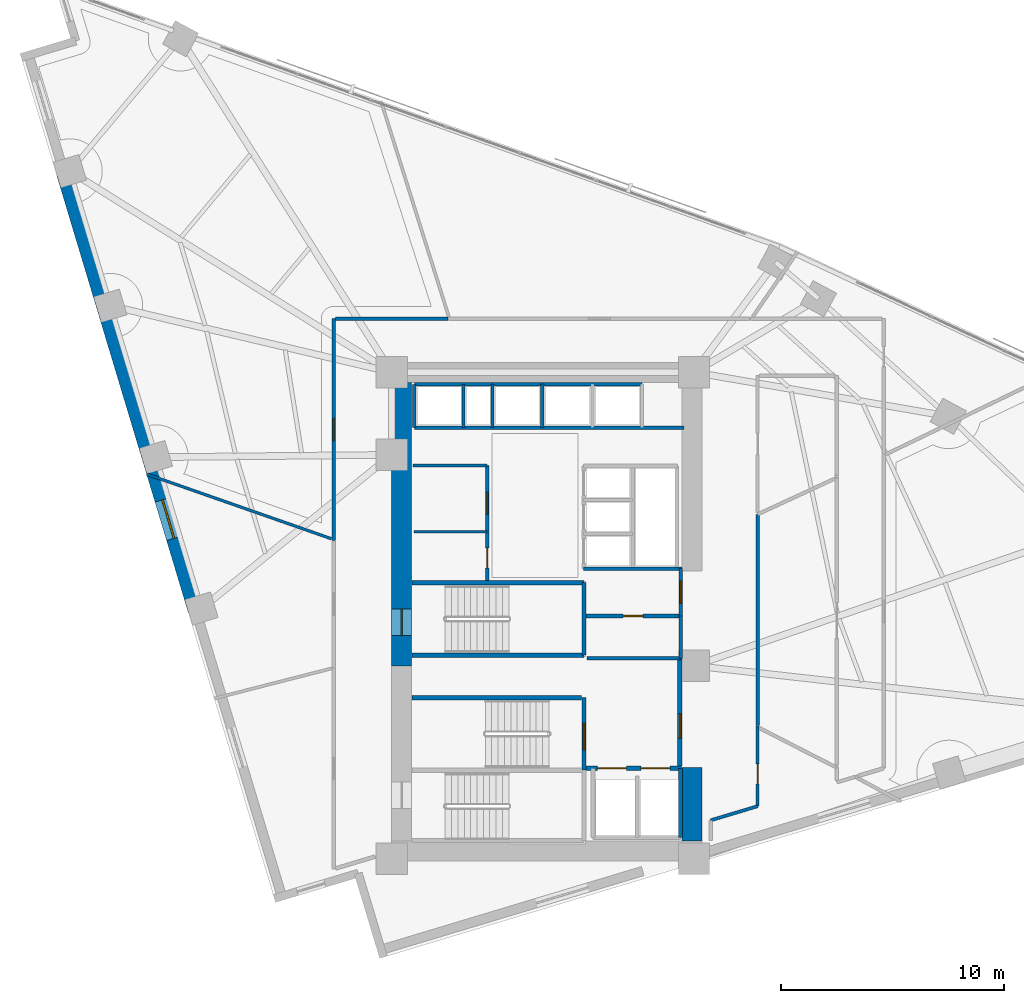
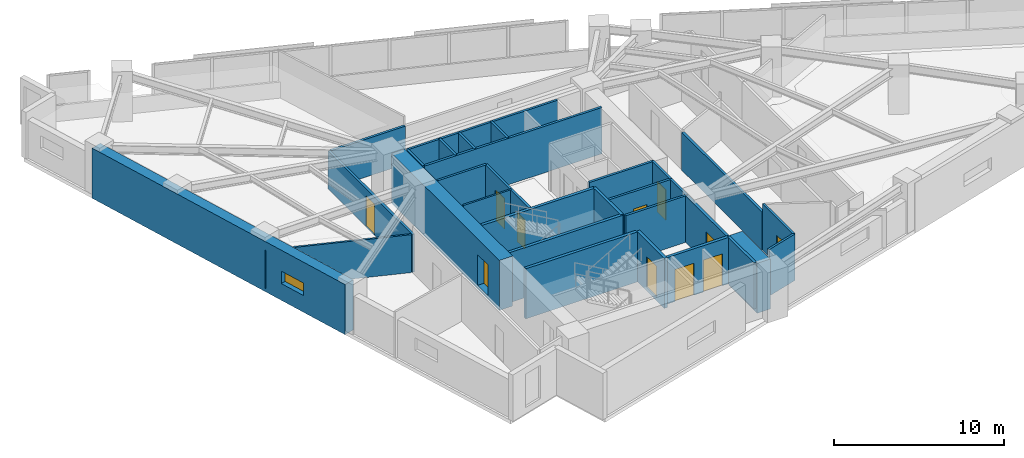
# One storey, part 10 of 16: 32 walls, 11 doors, 1 window, 12 openings.
"""IFC4 building model written with IfcOpenShell, lengths in metres."""

from ifc_helpers import new_model, si_unit, direction, frame, frame_2d, origin, place, context, subcontext, project, spatial, rectangle, extrude, material, layer, layer_set, type_object, element, fill, save


model = new_model("IFC4")

# Units and contexts
model_context = context("Model", 3, precision=1e-05, world=origin(), true_north=direction((0.0, 1.0)))
body_context = subcontext(model_context, "Body", "Model", "MODEL_VIEW")
ifc_project = project(units=[si_unit("LENGTHUNIT", "METRE"), si_unit("AREAUNIT", "SQUARE_METRE"), si_unit("VOLUMEUNIT", "CUBIC_METRE"), si_unit("PLANEANGLEUNIT", "RADIAN"), si_unit("MASSUNIT", "GRAM", prefix="KILO")], contexts=[model_context])

# Site, building, storey
site_placement = place(None, origin())
site = spatial("IfcSite", under=ifc_project, at=site_placement, CompositionType="ELEMENT")
building_placement = place(site_placement, origin())
building = spatial("IfcBuilding", under=site, at=building_placement, Name="Narakoshi Arena Tower", CompositionType="ELEMENT")
storey_placement = place(building_placement, frame((0.0, 0.0, 146.699951171875)))
storey = spatial("IfcBuildingStorey", under=building, at=storey_placement, Name="L39", CompositionType="ELEMENT", Elevation=146.699951171875)

# Wall
ifc_material_1 = material(Name="Concrete C60/75", Category="concrete")
ifc_layer_1 = layer(ifc_material_1, 0.89990234375)
ifc_layer_set_1 = layer_set([ifc_layer_1], Name="Concrete C60/75")
wall_type_1 = type_object("IfcWallType", Name="WL-CORE-900", PredefinedType="SHEAR", material=ifc_layer_set_1)
wall_1_placement = place(storey_placement, frame((85.449951171875, 35.5, -0.260009765625), z_axis=(0.0, 0.0, 1.0), x_axis=(0.0, 1.0, 0.0)))
element("IfcWall", 1, at=wall_1_placement, inside=storey, type_object=wall_type_1, Name="L39 Central Core Shear Wall CW-APX-E", PredefinedType="SHEAR", context=body_context, shape_type="SweptSolid", body=[
    extrude(rectangle(XDim=3.300048828125, YDim=0.89990234375, at=frame_2d((1.64990234375, 0.0))), origin(), (0.0, 0.0, 1.0), 3.60009765625),
])

# Wall, opening, door
wall_2_placement = place(storey_placement, frame((72.449951171875, 43.35009765625, -0.260009765625), z_axis=(0.0, 0.0, 1.0), x_axis=(0.0, 1.0, 0.0)))
wall_2 = element("IfcWall", 2, at=wall_2_placement, inside=storey, type_object=wall_type_1, Name="L39 Main Core Shear Wall CW-MN-W", PredefinedType="SHEAR", context=body_context, shape_type="SweptSolid", body=[
    extrude(rectangle(XDim=12.699951171875, YDim=0.89990234375, at=frame_2d((6.35009765625, 0.0))), origin(), (0.0, 0.0, 1.0), 3.60009765625),
])
opening_1_placement = place(wall_2_placement, frame((1.35009765625, 0.0, 0.260009765625)))
opening_1 = element("IfcOpeningElement", 3, at=opening_1_placement, cuts=wall_2, Name="Opening D-03", PredefinedType="OPENING", context=body_context, shape_type="SweptSolid", body=[
    extrude(rectangle(XDim=1.199951171875, YDim=2.199951171875, at=frame_2d((0.60009765625, 1.10009765625))), frame((0.0, 0.4599609375, 0.0), z_axis=(0.0, -1.0, 0.0), x_axis=(1.0, 0.0, 0.0)), (0.0, 0.0, 1.0), 0.919921875),
])
ifc_material_2 = material(Name="Painted galvanized steel", Category="steel")
door_type_1 = type_object("IfcDoorType", Name="DR-STR-1200", OperationType="NOTDEFINED", PredefinedType="USERDEFINED", material=ifc_material_2)
door_1_placement = place(opening_1_placement, frame((1.199951171875, 0.0, 0.0), z_axis=(0.0, 0.0, 1.0), x_axis=(-1.0, 0.0, 0.0)))
door_1 = element("IfcDoor", 4, at=door_1_placement, inside=storey, type_object=door_type_1, Name="DR-L39-007", ObjectType="EXITDOOR", OperationType="SINGLE_SWING_LEFT", OverallHeight=2.199951171875, OverallWidth=1.199951171875, PredefinedType="USERDEFINED", context=body_context, shape_type="SweptSolid", body=[
    extrude(rectangle(XDim=1.199951171875, YDim=2.199951171875, at=frame_2d((0.60009765625, 1.10009765625))), frame((0.0, 0.02490234375, 0.0), z_axis=(0.0, -1.0, 0.0), x_axis=(1.0, 0.0, 0.0)), (0.0, 0.0, 1.0), 0.050048828125),
])
fill(opening_1, door_1)

ifc_material_3 = material(Name="Gypsum plasterboard fire-rated partition")
ifc_layer_2 = layer(ifc_material_3, 0.1650390625)
ifc_layer_set_2 = layer_set([ifc_layer_2], Name="Gypsum plasterboard fire-rated partition")
wall_type_2 = type_object("IfcWallType", Name="WL-CORR-165", PredefinedType="PARTITIONING", material=ifc_layer_set_2)
wall_3_placement = place(storey_placement, frame((84.949951171875, 45.580078125, 0.0), z_axis=(0.0, 0.0, 1.0), x_axis=(0.0, 1.0, 0.0)))
wall_3 = element("IfcWall", 5, at=wall_3_placement, inside=storey, type_object=wall_type_2, Name="L39 Core Wall CPAS-E", PredefinedType="PARTITIONING", context=body_context, shape_type="SweptSolid", body=[
    extrude(rectangle(XDim=2.119873046875, YDim=0.1650390625, at=frame_2d((1.06005859375, 0.0))), origin(), (0.0, 0.0, 1.0), 3.340087890625),
])
opening_2_placement = place(wall_3_placement, frame((0.56005859375, 0.0, 0.0)))
opening_2 = element("IfcOpeningElement", 6, at=opening_2_placement, cuts=wall_3, Name="Opening D-06", PredefinedType="OPENING", context=body_context, shape_type="SweptSolid", body=[
    extrude(rectangle(XDim=1.0, YDim=2.199951171875, at=frame_2d((0.5, 1.10009765625))), frame((0.0, 0.092529296875, 0.0), z_axis=(0.0, -1.0, 0.0), x_axis=(1.0, 0.0, 0.0)), (0.0, 0.0, 1.0), 0.18505859375),
])
ifc_material_4 = material(Name="Stained oak solid-core timber", Category="wood")
door_type_2 = type_object("IfcDoorType", Name="DR-OFF-1000", OperationType="NOTDEFINED", PredefinedType="DOOR", material=ifc_material_4)
door_2_placement = place(opening_2_placement, frame((1.0, 0.0, 0.0), z_axis=(0.0, 0.0, 1.0), x_axis=(-1.0, 0.0, 0.0)))
door_2 = element("IfcDoor", 7, at=door_2_placement, inside=storey, type_object=door_type_2, Name="DR-L39-008", OperationType="SINGLE_SWING_LEFT", OverallHeight=2.199951171875, OverallWidth=1.0, PredefinedType="DOOR", context=body_context, shape_type="SweptSolid", body=[
    extrude(rectangle(XDim=1.0, YDim=2.199951171875, at=frame_2d((0.5, 1.10009765625))), frame((0.0, 0.02490234375, 0.0), z_axis=(0.0, -1.0, 0.0), x_axis=(1.0, 0.0, 0.0)), (0.0, 0.0, 1.0), 0.050048828125),
])
fill(opening_2, door_2)

# Wall
wall_4_placement = place(storey_placement, frame((88.39990234375, 40.669189453125, 0.0), z_axis=(0.0, 0.0, 1.0), x_axis=(0.0, 1.0, 0.0)))
element("IfcWall", 8, at=wall_4_placement, inside=storey, type_object=wall_type_2, Name="L39 Corridor Partition 03-2", PredefinedType="PARTITIONING", context=body_context, shape_type="SweptSolid", body=[
    extrude(rectangle(XDim=9.4658203125, YDim=0.1650390625, at=frame_2d((4.73291015625, 0.0))), origin(), (0.0, 0.0, 1.0), 2.72509765625),
])

# Wall, opening, door
wall_5_placement = place(storey_placement, frame((69.39990234375, 58.89990234375, 0.0), z_axis=(0.0, 0.0, 1.0), x_axis=(0.0, -1.0, 0.0)))
wall_5 = element("IfcWall", 9, at=wall_5_placement, inside=storey, type_object=wall_type_2, Name="L39 Corridor Partition 08-1", PredefinedType="PARTITIONING", context=body_context, shape_type="SweptSolid", body=[
    extrude(rectangle(XDim=9.9306640625, YDim=0.1650390625, at=frame_2d((4.96533203125, 0.0))), origin(), (0.0, 0.0, 1.0), 2.72509765625),
])
opening_3_placement = place(wall_5_placement, frame((4.46533203125, 0.0, 0.0)))
opening_3 = element("IfcOpeningElement", 10, at=opening_3_placement, cuts=wall_5, Name="Opening D-06", PredefinedType="OPENING", context=body_context, shape_type="SweptSolid", body=[
    extrude(rectangle(XDim=1.0, YDim=2.199951171875, at=frame_2d((0.5, 1.10009765625))), frame((0.0, 0.092529296875, 0.0), z_axis=(0.0, -1.0, 0.0), x_axis=(1.0, 0.0, 0.0)), (0.0, 0.0, 1.0), 0.18505859375),
])
door_3_placement = place(opening_3_placement, frame((1.0, 0.0, 0.0), z_axis=(0.0, 0.0, 1.0), x_axis=(-1.0, 0.0, 0.0)))
door_3 = element("IfcDoor", 11, at=door_3_placement, inside=storey, type_object=door_type_2, Name="DR-L39-022", OperationType="SINGLE_SWING_RIGHT", OverallHeight=2.199951171875, OverallWidth=1.0, PredefinedType="DOOR", context=body_context, shape_type="SweptSolid", body=[
    extrude(rectangle(XDim=1.0, YDim=2.199951171875, at=frame_2d((0.5, 1.10009765625))), frame((0.0, 0.02490234375, 0.0), z_axis=(0.0, -1.0, 0.0), x_axis=(1.0, 0.0, 0.0)), (0.0, 0.0, 1.0), 0.050048828125),
])
fill(opening_3, door_3)

# Wall
wall_6_placement = place(storey_placement, frame((74.530029296875, 58.89990234375, 0.0), z_axis=(0.0, 0.0, 1.0), x_axis=(-1.0, 0.0, 0.0)))
element("IfcWall", 12, at=wall_6_placement, inside=storey, type_object=wall_type_2, Name="L39 Corridor Partition 08-2", PredefinedType="PARTITIONING", context=body_context, shape_type="SweptSolid", body=[
    extrude(rectangle(XDim=5.03564453125, YDim=0.1650390625, at=frame_2d((2.517822265625, 0.0))), origin(), (0.0, 0.0, 1.0), 2.72509765625),
])

# Wall, opening, window
ifc_layer_3 = layer(ifc_material_1, 0.699951171875)
ifc_layer_set_3 = layer_set([ifc_layer_3], Name="Concrete C60/75")
wall_type_3 = type_object("IfcWallType", Name="WL-LEG-700", PredefinedType="SHEAR", material=ifc_layer_set_3)
wall_7_placement = place(storey_placement, frame((57.322509765625, 65.434326171875, -0.260009765625), z_axis=(0.0, 0.0, 1.0), x_axis=(0.288188159352, -0.957573801234, 0.0)))
wall_7 = element("IfcWall", 13, at=wall_7_placement, inside=storey, type_object=wall_type_3, Name="L39 Architectural Concrete Structural Wall LEGB-2", PredefinedType="SHEAR", context=body_context, shape_type="SweptSolid", body=[
    extrude(rectangle(XDim=20.468994140625, YDim=0.699951171875, at=frame_2d((10.234375, 0.0))), origin(), (0.0, 0.0, 1.0), 3.60009765625),
])
opening_4_placement = place(wall_7_placement, frame((15.300048828125, 0.0, 1.199951171875)))
opening_4 = element("IfcOpeningElement", 14, at=opening_4_placement, cuts=wall_7, Name="Opening WN-02", PredefinedType="OPENING", context=body_context, shape_type="SweptSolid", body=[
    extrude(rectangle(XDim=1.800048828125, YDim=0.89990234375, at=frame_2d((0.89990234375, 0.449951171875))), frame((0.0, 0.35986328125, 0.0), z_axis=(0.0, -1.0, 0.0), x_axis=(1.0, 0.0, 0.0)), (0.0, 0.0, 1.0), 0.719970703125),
])
ifc_material_5 = material(Name="Bronze-tinted low-E laminated glass", Category="glass")
window_type = type_object("IfcWindowType", Name="WIN-SLT-18x09", PartitioningType="SINGLE_PANEL", PredefinedType="WINDOW", material=ifc_material_5)
window_placement = place(opening_4_placement, origin())
window = element("IfcWindow", 15, at=window_placement, inside=storey, type_object=window_type, Name="L39 LEGB2 Horizontal Slot Window 1", OverallHeight=0.89990234375, OverallWidth=1.800048828125, PartitioningType="SINGLE_PANEL", PredefinedType="WINDOW", context=body_context, shape_type="SweptSolid", body=[
    extrude(rectangle(XDim=1.800048828125, YDim=0.89990234375, at=frame_2d((0.89990234375, 0.449951171875))), frame((0.0, 0.030029296875, 0.0), z_axis=(0.0, -1.0, 0.0), x_axis=(1.0, 0.0, 0.0)), (0.0, 0.0, 1.0), 0.06005859375),
])
fill(opening_4, window)

# Walls
ifc_layer_4 = layer(ifc_material_3, 0.125)
ifc_layer_set_4 = layer_set([ifc_layer_4], Name="Gypsum plasterboard fire-rated partition")
wall_type_4 = type_object("IfcWallType", Name="WL-PART-125", PredefinedType="PARTITIONING", material=ifc_layer_set_4)
wall_8_placement = place(storey_placement, frame((73.0, 49.35009765625, 0.0), z_axis=(0.0, 0.0, 1.0), x_axis=(1.0, 0.0, 0.0)))
element("IfcWall", 16, at=wall_8_placement, inside=storey, type_object=wall_type_4, Name="L39 Core Wall RCL-LR-D1", PredefinedType="PARTITIONING", context=body_context, shape_type="SweptSolid", body=[
    extrude(rectangle(XDim=3.280029296875, YDim=0.125, at=frame_2d((1.64013671875, 0.0))), origin(), (0.0, 0.0, 1.0), 3.340087890625),
])
wall_9_placement = place(storey_placement, frame((69.305419921875, 49.040283203125, 0.0), z_axis=(0.0, 0.0, 1.0), x_axis=(-0.943982733125, 0.329994847781, 0.0)))
element("IfcWall", 17, at=wall_9_placement, inside=storey, type_object=wall_type_4, Name="L39 Inter-Room Partition 08-09", PredefinedType="PARTITIONING", context=body_context, shape_type="SweptSolid", body=[
    extrude(rectangle(XDim=8.778076171875, YDim=0.125, at=frame_2d((4.38916015625, 0.0))), origin(), (0.0, 0.0, 1.0), 2.72509765625),
])
ifc_material_6 = material(Name="Concrete C40/50", Category="concrete")
ifc_layer_5 = layer(ifc_material_6, 0.280029296875)
ifc_layer_set_5 = layer_set([ifc_layer_5], Name="Concrete C40/50")
wall_type_5 = type_object("IfcWallType", Name="WL-RISER-280", PredefinedType="PLUMBINGWALL", material=ifc_layer_set_5)
wall_10_placement = place(storey_placement, frame((84.949951171875, 43.679931640625, 0.0), z_axis=(0.0, 0.0, 1.0), x_axis=(0.0, 1.0, 0.0)))
element("IfcWall", 18, at=wall_10_placement, inside=storey, type_object=wall_type_5, Name="L39 Core Wall RSR-E", PredefinedType="PLUMBINGWALL", context=body_context, shape_type="SweptSolid", body=[
    extrude(rectangle(XDim=1.900146484375, YDim=0.1650390625, at=frame_2d((0.9501953125, 0.0))), origin(), (0.0, 0.0, 1.0), 3.340087890625),
])

# Wall, opening, door
wall_11_placement = place(storey_placement, frame((80.719970703125, 45.580078125, 0.0), z_axis=(0.0, 0.0, 1.0), x_axis=(1.0, 0.0, 0.0)))
wall_11 = element("IfcWall", 19, at=wall_11_placement, inside=storey, type_object=wall_type_5, Name="L39 Core Wall RSR-N", PredefinedType="PLUMBINGWALL", context=body_context, shape_type="SweptSolid", body=[
    extrude(rectangle(XDim=4.22998046875, YDim=0.159912109375, at=frame_2d((2.114990234375, 0.0))), origin(), (0.0, 0.0, 1.0), 3.340087890625),
])
opening_5_placement = place(wall_11_placement, frame((1.64990234375, 0.0, 0.0)))
opening_5 = element("IfcOpeningElement", 20, at=opening_5_placement, cuts=wall_11, Name="Opening D-08", PredefinedType="OPENING", context=body_context, shape_type="SweptSolid", body=[
    extrude(rectangle(XDim=0.89990234375, YDim=2.10009765625, at=frame_2d((0.449951171875, 1.050048828125))), frame((0.0, 0.08984375, 0.0), z_axis=(0.0, -1.0, 0.0), x_axis=(1.0, 0.0, 0.0)), (0.0, 0.0, 1.0), 0.179931640625),
])
ifc_material_7 = material(Name="Moisture-resistant laminate timber", Category="wood")
door_type_3 = type_object("IfcDoorType", Name="DR-WC-900", OperationType="NOTDEFINED", PredefinedType="DOOR", material=ifc_material_7)
door_4_placement = place(opening_5_placement, frame((0.89990234375, 0.0, 0.0), z_axis=(0.0, 0.0, 1.0), x_axis=(-1.0, 0.0, 0.0)))
door_4 = element("IfcDoor", 21, at=door_4_placement, inside=storey, type_object=door_type_3, Name="DR-L39-009", OperationType="SINGLE_SWING_LEFT", OverallHeight=2.10009765625, OverallWidth=0.89990234375, PredefinedType="DOOR", context=body_context, shape_type="SweptSolid", body=[
    extrude(rectangle(XDim=0.89990234375, YDim=2.10009765625, at=frame_2d((0.449951171875, 1.050048828125))), frame((0.0, 0.02490234375, 0.0), z_axis=(0.0, -1.0, 0.0), x_axis=(1.0, 0.0, 0.0)), (0.0, 0.0, 1.0), 0.050048828125),
])
fill(opening_5, door_4)

# Walls
wall_12_placement = place(storey_placement, frame((80.760009765625, 43.679931640625, 0.0), z_axis=(0.0, 0.0, 1.0), x_axis=(1.0, 0.0, 0.0)))
element("IfcWall", 22, at=wall_12_placement, inside=storey, type_object=wall_type_5, Name="L39 Core Wall RSR-S", PredefinedType="PLUMBINGWALL", context=body_context, shape_type="SweptSolid", body=[
    extrude(rectangle(XDim=4.18994140625, YDim=0.159912109375, at=frame_2d((2.094970703125, 0.0))), origin(), (0.0, 0.0, 1.0), 3.340087890625),
])
for number, where, z_axis, x_axis, name in (
    (23, (73.02001953125, 54.02001953125, 0.0), (0.0, 0.0, 1.0), (0.0, 1.0, 0.0), "L39 Core Wall OBS-W"),
    (24, (75.219970703125, 54.02001953125, 0.0), (0.0, 0.0, 1.0), (0.0, 1.0, 0.0), "L39 Core Wall OBS-M"),
):
    element("IfcWall", number, at=place(storey_placement, frame(where, z_axis=z_axis, x_axis=x_axis)), inside=storey, type_object=wall_type_5, Name=name, PredefinedType="PLUMBINGWALL", context=body_context, shape_type="SweptSolid", body=[
        extrude(rectangle(XDim=1.93994140625, YDim=0.14990234375, at=frame_2d((0.969970703125, 0.0))), origin(), (0.0, 0.0, 1.0), 3.340087890625),
    ])
wall_13_placement = place(storey_placement, frame((78.75, 54.02001953125, 0.0), z_axis=(0.0, 0.0, 1.0), x_axis=(0.0, 1.0, 0.0)))
element("IfcWall", 25, at=wall_13_placement, inside=storey, type_object=wall_type_5, Name="L39 Core Wall HR-D1", PredefinedType="PLUMBINGWALL", context=body_context, shape_type="SweptSolid", body=[
    extrude(rectangle(XDim=1.9599609375, YDim=0.14990234375, at=frame_2d((0.97998046875, 0.0))), origin(), (0.0, 0.0, 1.0), 3.340087890625),
])

# Wall, opening, door
ifc_material_8 = material(Name="Concrete C50/60", Category="concrete")
ifc_layer_6 = layer(ifc_material_8, 0.35009765625)
ifc_layer_set_6 = layer_set([ifc_layer_6], Name="Concrete C50/60")
wall_type_6 = type_object("IfcWallType", Name="WL-SHAFT-350", PredefinedType="SOLIDWALL", material=ifc_layer_set_6)
wall_14_placement = place(storey_placement, frame((80.6201171875, 38.675048828125, -0.260009765625), z_axis=(0.0, 0.0, 1.0), x_axis=(0.0, 1.0, 0.0)))
wall_14 = element("IfcWall", 26, at=wall_14_placement, inside=storey, type_object=wall_type_6, Name="L39 Core Wall ST2-E", PredefinedType="SOLIDWALL", context=body_context, shape_type="SweptSolid", body=[
    extrude(rectangle(XDim=3.244873046875, YDim=0.199951171875, at=frame_2d((1.62255859375, 0.0))), origin(), (0.0, 0.0, 1.0), 3.60009765625),
])
opening_6_placement = place(wall_14_placement, frame((0.89990234375, 0.0, 0.260009765625)))
opening_6 = element("IfcOpeningElement", 27, at=opening_6_placement, cuts=wall_14, Name="Opening D-03", PredefinedType="OPENING", context=body_context, shape_type="SweptSolid", body=[
    extrude(rectangle(XDim=1.199951171875, YDim=2.199951171875, at=frame_2d((0.60009765625, 1.10009765625))), frame((0.0, 0.10986328125, 0.0), z_axis=(0.0, -1.0, 0.0), x_axis=(1.0, 0.0, 0.0)), (0.0, 0.0, 1.0), 0.219970703125),
])
door_5_placement = place(opening_6_placement, origin())
door_5 = element("IfcDoor", 28, at=door_5_placement, inside=storey, type_object=door_type_1, Name="DR-L39-003", ObjectType="EXITDOOR", OperationType="SINGLE_SWING_RIGHT", OverallHeight=2.199951171875, OverallWidth=1.199951171875, PredefinedType="USERDEFINED", context=body_context, shape_type="SweptSolid", body=[
    extrude(rectangle(XDim=1.199951171875, YDim=2.199951171875, at=frame_2d((0.60009765625, 1.10009765625))), frame((0.0, 0.02490234375, 0.0), z_axis=(0.0, -1.0, 0.0), x_axis=(1.0, 0.0, 0.0)), (0.0, 0.0, 1.0), 0.050048828125),
])
fill(opening_6, door_5)

# Wall, openings, doors
wall_15_placement = place(storey_placement, frame((80.719970703125, 38.75, 0.0), z_axis=(0.0, 0.0, 1.0), x_axis=(1.0, 0.0, 0.0)))
wall_15 = element("IfcWall", 29, at=wall_15_placement, inside=storey, type_object=wall_type_6, Name="L39 Core Wall FF-N", PredefinedType="SOLIDWALL", context=body_context, shape_type="SweptSolid", body=[
    extrude(rectangle(XDim=4.260009765625, YDim=0.199951171875, at=frame_2d((2.1298828125, 0.0))), origin(), (0.0, 0.0, 1.0), 3.340087890625),
])
opening_7_placement = place(wall_15_placement, frame((0.5, 0.0, 0.0)))
opening_7 = element("IfcOpeningElement", 30, at=opening_7_placement, cuts=wall_15, Name="Opening LD-02", PredefinedType="OPENING", context=body_context, shape_type="SweptSolid", body=[
    extrude(rectangle(XDim=1.300048828125, YDim=2.300048828125, at=frame_2d((0.64990234375, 1.14990234375))), frame((0.0, 0.10986328125, 0.0), z_axis=(0.0, -1.0, 0.0), x_axis=(1.0, 0.0, 0.0)), (0.0, 0.0, 1.0), 0.219970703125),
])
opening_8_placement = place(wall_15_placement, frame((2.449951171875, 0.0, 0.0)))
opening_8 = element("IfcOpeningElement", 31, at=opening_8_placement, cuts=wall_15, Name="Opening LD-02", PredefinedType="OPENING", context=body_context, shape_type="SweptSolid", body=[
    extrude(rectangle(XDim=1.300048828125, YDim=2.300048828125, at=frame_2d((0.64990234375, 1.14990234375))), frame((0.0, 0.10986328125, 0.0), z_axis=(0.0, -1.0, 0.0), x_axis=(1.0, 0.0, 0.0)), (0.0, 0.0, 1.0), 0.219970703125),
])
ifc_material_9 = material(Name="Brushed bronze stainless steel", Category="steel")
door_type_4 = type_object("IfcDoorType", Name="DR-LFT-1300", OperationType="DOUBLE_DOOR_SLIDING", PredefinedType="DOOR", material=ifc_material_9)
door_6_placement = place(opening_7_placement, origin())
door_6 = element("IfcDoor", 32, at=door_6_placement, inside=storey, type_object=door_type_4, Name="DR-L39-004", OperationType="DOUBLE_DOOR_SLIDING", OverallHeight=2.300048828125, OverallWidth=1.300048828125, PredefinedType="DOOR", context=body_context, shape_type="SweptSolid", body=[
    extrude(rectangle(XDim=1.300048828125, YDim=2.300048828125, at=frame_2d((0.64990234375, 1.14990234375))), frame((0.0, 0.02490234375, 0.0), z_axis=(0.0, -1.0, 0.0), x_axis=(1.0, 0.0, 0.0)), (0.0, 0.0, 1.0), 0.050048828125),
])
fill(opening_7, door_6)
door_7_placement = place(opening_8_placement, origin())
door_7 = element("IfcDoor", 33, at=door_7_placement, inside=storey, type_object=door_type_4, Name="DR-L39-005", OperationType="DOUBLE_DOOR_SLIDING", OverallHeight=2.300048828125, OverallWidth=1.300048828125, PredefinedType="DOOR", context=body_context, shape_type="SweptSolid", body=[
    extrude(rectangle(XDim=1.300048828125, YDim=2.300048828125, at=frame_2d((0.64990234375, 1.14990234375))), frame((0.0, 0.02490234375, 0.0), z_axis=(0.0, -1.0, 0.0), x_axis=(1.0, 0.0, 0.0)), (0.0, 0.0, 1.0), 0.050048828125),
])
fill(opening_8, door_7)

# Wall
wall_16_placement = place(storey_placement, frame((84.949951171875, 35.64990234375, 0.0), z_axis=(0.0, 0.0, 1.0), x_axis=(0.0, 1.0, 0.0)))
element("IfcWall", 34, at=wall_16_placement, inside=storey, type_object=wall_type_6, Name="L39 Core Wall FF-E", PredefinedType="SOLIDWALL", context=body_context, shape_type="SweptSolid", body=[
    extrude(rectangle(XDim=3.10009765625, YDim=0.179931640625, at=frame_2d((1.550048828125, 0.0))), origin(), (0.0, 0.0, 1.0), 3.340087890625),
])

# Wall, opening, door
wall_17_placement = place(storey_placement, frame((84.919921875, 38.85009765625, 0.0), z_axis=(0.0, 0.0, 1.0), x_axis=(0.0, 1.0, 0.0)))
wall_17 = element("IfcWall", 35, at=wall_17_placement, inside=storey, type_object=wall_type_6, Name="L39 Core Wall FFLOB-E", PredefinedType="SOLIDWALL", context=body_context, shape_type="SweptSolid", body=[
    extrude(rectangle(XDim=4.829833984375, YDim=0.199951171875, at=frame_2d((2.4150390625, 0.0))), origin(), (0.0, 0.0, 1.0), 3.340087890625),
])
opening_9_placement = place(wall_17_placement, frame((1.25, 0.0, 0.0)))
opening_9 = element("IfcOpeningElement", 36, at=opening_9_placement, cuts=wall_17, Name="Opening D-04", PredefinedType="OPENING", context=body_context, shape_type="SweptSolid", body=[
    extrude(rectangle(XDim=1.10009765625, YDim=2.199951171875, at=frame_2d((0.550048828125, 1.10009765625))), frame((0.0, 0.10986328125, 0.0), z_axis=(0.0, -1.0, 0.0), x_axis=(1.0, 0.0, 0.0)), (0.0, 0.0, 1.0), 0.219970703125),
])
door_type_5 = type_object("IfcDoorType", Name="DR-FFL-1100", OperationType="NOTDEFINED", PredefinedType="DOOR", material=ifc_material_2)
door_8_placement = place(opening_9_placement, frame((1.10009765625, 0.0, 0.0), z_axis=(0.0, 0.0, 1.0), x_axis=(-1.0, 0.0, 0.0)))
door_8 = element("IfcDoor", 37, at=door_8_placement, inside=storey, type_object=door_type_5, Name="DR-L39-006", OperationType="SINGLE_SWING_RIGHT", OverallHeight=2.199951171875, OverallWidth=1.10009765625, PredefinedType="DOOR", context=body_context, shape_type="SweptSolid", body=[
    extrude(rectangle(XDim=1.10009765625, YDim=2.199951171875, at=frame_2d((0.550048828125, 1.10009765625))), frame((0.0, 0.02490234375, 0.0), z_axis=(0.0, -1.0, 0.0), x_axis=(1.0, 0.0, 0.0)), (0.0, 0.0, 1.0), 0.050048828125),
])
fill(opening_9, door_8)

# Walls
wall_18_placement = place(storey_placement, frame((72.919921875, 41.919921875, -0.260009765625), z_axis=(0.0, 0.0, 1.0), x_axis=(1.0, 0.0, 0.0)))
element("IfcWall", 38, at=wall_18_placement, inside=storey, type_object=wall_type_6, Name="L39 Core Wall ST2-N", PredefinedType="SOLIDWALL", context=body_context, shape_type="SweptSolid", body=[
    extrude(rectangle(XDim=7.580078125, YDim=0.199951171875, at=frame_2d((3.7900390625, 0.0))), origin(), (0.0, 0.0, 1.0), 3.60009765625),
])
for number, where, z_axis, x_axis, name in (
    (39, (72.919921875, 43.830078125, -0.260009765625), (0.0, 0.0, 1.0), (1.0, 0.0, 0.0), "L39 Core Wall ST3-S"),
    (40, (72.919921875, 47.070068359375, -0.260009765625), (0.0, 0.0, 1.0), (1.0, 0.0, 0.0), "L39 Core Wall ST3-N"),
):
    element("IfcWall", number, at=place(storey_placement, frame(where, z_axis=z_axis, x_axis=x_axis)), inside=storey, type_object=wall_type_6, Name=name, PredefinedType="SOLIDWALL", context=body_context, shape_type="SweptSolid", body=[
        extrude(rectangle(XDim=7.7001953125, YDim=0.199951171875, at=frame_2d((3.85009765625, 0.0))), origin(), (0.0, 0.0, 1.0), 3.60009765625),
    ])
wall_19_placement = place(storey_placement, frame((80.6201171875, 43.830078125, -0.260009765625), z_axis=(0.0, 0.0, 1.0), x_axis=(0.0, 1.0, 0.0)))
element("IfcWall", 41, at=wall_19_placement, inside=storey, type_object=wall_type_6, Name="L39 Core Wall ST3-E", PredefinedType="SOLIDWALL", context=body_context, shape_type="SweptSolid", body=[
    extrude(rectangle(XDim=3.239990234375, YDim=0.199951171875, at=frame_2d((1.6201171875, 0.0))), origin(), (0.0, 0.0, 1.0), 3.60009765625),
])

# Wall, openings, doors
wall_20_placement = place(storey_placement, frame((76.280029296875, 47.179931640625, 0.0), z_axis=(0.0, 0.0, 1.0), x_axis=(0.0, 1.0, 0.0)))
wall_20 = element("IfcWall", 42, at=wall_20_placement, inside=storey, type_object=wall_type_6, Name="L39 Core Wall LR-E", PredefinedType="SOLIDWALL", context=body_context, shape_type="SweptSolid", body=[
    extrude(rectangle(XDim=5.14013671875, YDim=0.159912109375, at=frame_2d((2.570068359375, 0.0))), origin(), (0.0, 0.0, 1.0), 3.340087890625),
])
opening_10_placement = place(wall_20_placement, frame((0.550048828125, 0.0, 0.0)))
opening_10 = element("IfcOpeningElement", 43, at=opening_10_placement, cuts=wall_20, Name="Opening D-08", PredefinedType="OPENING", context=body_context, shape_type="SweptSolid", body=[
    extrude(rectangle(XDim=0.89990234375, YDim=2.10009765625, at=frame_2d((0.449951171875, 1.050048828125))), frame((0.0, 0.08984375, 0.0), z_axis=(0.0, -1.0, 0.0), x_axis=(1.0, 0.0, 0.0)), (0.0, 0.0, 1.0), 0.179931640625),
])
opening_11_placement = place(wall_20_placement, frame((2.949951171875, 0.0, 0.0)))
opening_11 = element("IfcOpeningElement", 44, at=opening_11_placement, cuts=wall_20, Name="Opening D-06", PredefinedType="OPENING", context=body_context, shape_type="SweptSolid", body=[
    extrude(rectangle(XDim=1.0, YDim=2.199951171875, at=frame_2d((0.5, 1.10009765625))), frame((0.0, 0.08984375, 0.0), z_axis=(0.0, -1.0, 0.0), x_axis=(1.0, 0.0, 0.0)), (0.0, 0.0, 1.0), 0.179931640625),
])
door_9_placement = place(opening_11_placement, frame((1.0, 0.0, 0.0), z_axis=(0.0, 0.0, 1.0), x_axis=(-1.0, 0.0, 0.0)))
door_9 = element("IfcDoor", 45, at=door_9_placement, inside=storey, type_object=door_type_2, Name="DR-L39-011", OperationType="SINGLE_SWING_LEFT", OverallHeight=2.199951171875, OverallWidth=1.0, PredefinedType="DOOR", context=body_context, shape_type="SweptSolid", body=[
    extrude(rectangle(XDim=1.0, YDim=2.199951171875, at=frame_2d((0.5, 1.10009765625))), frame((0.0, 0.02490234375, 0.0), z_axis=(0.0, -1.0, 0.0), x_axis=(1.0, 0.0, 0.0)), (0.0, 0.0, 1.0), 0.050048828125),
])
fill(opening_11, door_9)
door_10_placement = place(opening_10_placement, frame((0.89990234375, 0.0, 0.0), z_axis=(0.0, 0.0, 1.0), x_axis=(-1.0, 0.0, 0.0)))
door_10 = element("IfcDoor", 46, at=door_10_placement, inside=storey, type_object=door_type_3, Name="DR-L39-010", OperationType="SINGLE_SWING_RIGHT", OverallHeight=2.10009765625, OverallWidth=0.89990234375, PredefinedType="DOOR", context=body_context, shape_type="SweptSolid", body=[
    extrude(rectangle(XDim=0.89990234375, YDim=2.10009765625, at=frame_2d((0.449951171875, 1.050048828125))), frame((0.0, 0.02490234375, 0.0), z_axis=(0.0, -1.0, 0.0), x_axis=(1.0, 0.0, 0.0)), (0.0, 0.0, 1.0), 0.050048828125),
])
fill(opening_10, door_10)

# Walls
wall_21_placement = place(storey_placement, frame((72.949951171875, 52.320068359375, 0.0), z_axis=(0.0, 0.0, 1.0), x_axis=(1.0, 0.0, 0.0)))
element("IfcWall", 47, at=wall_21_placement, inside=storey, type_object=wall_type_6, Name="L39 Core Wall LR-N", PredefinedType="SOLIDWALL", context=body_context, shape_type="SweptSolid", body=[
    extrude(rectangle(XDim=3.330078125, YDim=0.14990234375, at=frame_2d((1.6650390625, 0.0))), origin(), (0.0, 0.0, 1.0), 3.340087890625),
])
wall_22_placement = place(storey_placement, frame((80.60009765625, 47.699951171875, 0.0), z_axis=(0.0, 0.0, 1.0), x_axis=(1.0, 0.0, 0.0)))
element("IfcWall", 48, at=wall_22_placement, inside=storey, type_object=wall_type_6, Name="L39 Core Wall MR-S", PredefinedType="SOLIDWALL", context=body_context, shape_type="SweptSolid", body=[
    extrude(rectangle(XDim=4.39990234375, YDim=0.159912109375, at=frame_2d((2.199951171875, 0.0))), origin(), (0.0, 0.0, 1.0), 3.340087890625),
])
wall_23_placement = place(storey_placement, frame((73.02001953125, 54.02001953125, 0.0), z_axis=(0.0, 0.0, 1.0), x_axis=(1.0, 0.0, 0.0)))
element("IfcWall", 49, at=wall_23_placement, inside=storey, type_object=wall_type_6, Name="L39 Core Wall NSHF-S", PredefinedType="SOLIDWALL", context=body_context, shape_type="SweptSolid", body=[
    extrude(rectangle(XDim=12.080078125, YDim=0.159912109375, at=frame_2d((6.0400390625, 0.0))), origin(), (0.0, 0.0, 1.0), 3.340087890625),
])
wall_24_placement = place(storey_placement, frame((73.02001953125, 55.9599609375, 0.0), z_axis=(0.0, 0.0, 1.0), x_axis=(1.0, 0.0, 0.0)))
element("IfcWall", 50, at=wall_24_placement, inside=storey, type_object=wall_type_6, Name="L39 Core Wall OBS-N", PredefinedType="SOLIDWALL", context=body_context, shape_type="SweptSolid", body=[
    extrude(rectangle(XDim=3.5, YDim=0.14990234375, at=frame_2d((1.75, 0.0))), origin(), (0.0, 0.0, 1.0), 3.340087890625),
])
wall_25_placement = place(storey_placement, frame((76.52001953125, 54.02001953125, 0.0), z_axis=(0.0, 0.0, 1.0), x_axis=(0.0, 1.0, 0.0)))
element("IfcWall", 51, at=wall_25_placement, inside=storey, type_object=wall_type_6, Name="L39 Core Wall OBS-E", PredefinedType="SOLIDWALL", context=body_context, shape_type="SweptSolid", body=[
    extrude(rectangle(XDim=1.93994140625, YDim=0.14990234375, at=frame_2d((0.969970703125, 0.0))), origin(), (0.0, 0.0, 1.0), 3.340087890625),
])
wall_26_placement = place(storey_placement, frame((76.52001953125, 55.9599609375, 0.0), z_axis=(0.0, 0.0, 1.0), x_axis=(1.0, 0.0, 0.0)))
element("IfcWall", 52, at=wall_26_placement, inside=storey, type_object=wall_type_6, Name="L39 Core Wall HR-N", PredefinedType="SOLIDWALL", context=body_context, shape_type="SweptSolid", body=[
    extrude(rectangle(XDim=6.699951171875, YDim=0.14990234375, at=frame_2d((3.35009765625, 0.0))), origin(), (0.0, 0.0, 1.0), 3.340087890625),
])

# Wall, opening, door
ifc_material_10 = material(Name="Moisture-resistant cement-board partition")
ifc_layer_7 = layer(ifc_material_10, 0.14501953125)
ifc_layer_set_7 = layer_set([ifc_layer_7], Name="Moisture-resistant cement-board partition")
wall_type_7 = type_object("IfcWallType", Name="WL-WET-145", PredefinedType="PARTITIONING", material=ifc_layer_set_7)
wall_27_placement = place(storey_placement, frame((88.39990234375, 37.05712890625, 0.0), z_axis=(0.0, 0.0, 1.0), x_axis=(0.0, 1.0, 0.0)))
wall_27 = element("IfcWall", 53, at=wall_27_placement, inside=storey, type_object=wall_type_7, Name="L39 Corridor Partition 02-1", PredefinedType="PARTITIONING", context=body_context, shape_type="SweptSolid", body=[
    extrude(rectangle(XDim=3.5849609375, YDim=0.14501953125, at=frame_2d((1.79248046875, 0.0))), origin(), (0.0, 0.0, 1.0), 3.340087890625),
])
opening_12_placement = place(wall_27_placement, frame((0.999755859375, 0.0, 0.0)))
opening_12 = element("IfcOpeningElement", 54, at=opening_12_placement, cuts=wall_27, Name="Opening D-08", PredefinedType="OPENING", context=body_context, shape_type="SweptSolid", body=[
    extrude(rectangle(XDim=0.89990234375, YDim=2.10009765625, at=frame_2d((0.449951171875, 1.050048828125))), frame((0.0, 0.08251953125, 0.0), z_axis=(0.0, -1.0, 0.0), x_axis=(1.0, 0.0, 0.0)), (0.0, 0.0, 1.0), 0.1650390625),
])
door_11_placement = place(opening_12_placement, frame((0.89990234375, 0.0, 0.0), z_axis=(0.0, 0.0, 1.0), x_axis=(-1.0, 0.0, 0.0)))
door_11 = element("IfcDoor", 55, at=door_11_placement, inside=storey, type_object=door_type_3, Name="DR-L39-016", OperationType="SINGLE_SWING_LEFT", OverallHeight=2.10009765625, OverallWidth=0.89990234375, PredefinedType="DOOR", context=body_context, shape_type="SweptSolid", body=[
    extrude(rectangle(XDim=0.89990234375, YDim=2.10009765625, at=frame_2d((0.449951171875, 1.050048828125))), frame((0.0, 0.02490234375, 0.0), z_axis=(0.0, -1.0, 0.0), x_axis=(1.0, 0.0, 0.0)), (0.0, 0.0, 1.0), 0.050048828125),
])
fill(opening_12, door_11)

# Wall
wall_28_placement = place(storey_placement, frame((86.300048828125, 36.425048828125, 0.0), z_axis=(0.0, 0.0, 1.0), x_axis=(0.957559291079, 0.288236368399, 0.0)))
element("IfcWall", 56, at=wall_28_placement, inside=storey, type_object=wall_type_7, Name="L39 Corridor Partition 02-2", PredefinedType="PARTITIONING", context=body_context, shape_type="SweptSolid", body=[
    extrude(rectangle(XDim=2.19287109375, YDim=0.14501953125, at=frame_2d((1.096435546875, 0.0))), origin(), (0.0, 0.0, 1.0), 3.340087890625),
])

save(model, "model.ifc")
